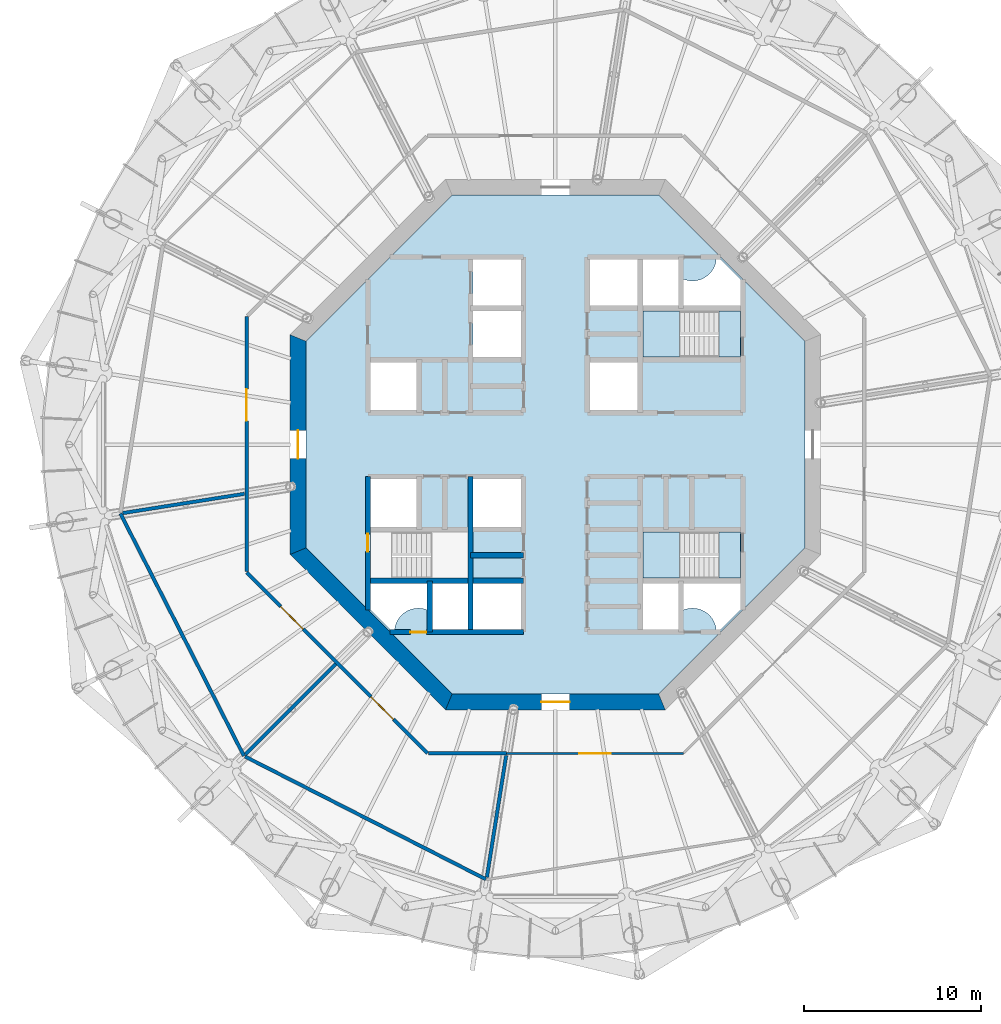
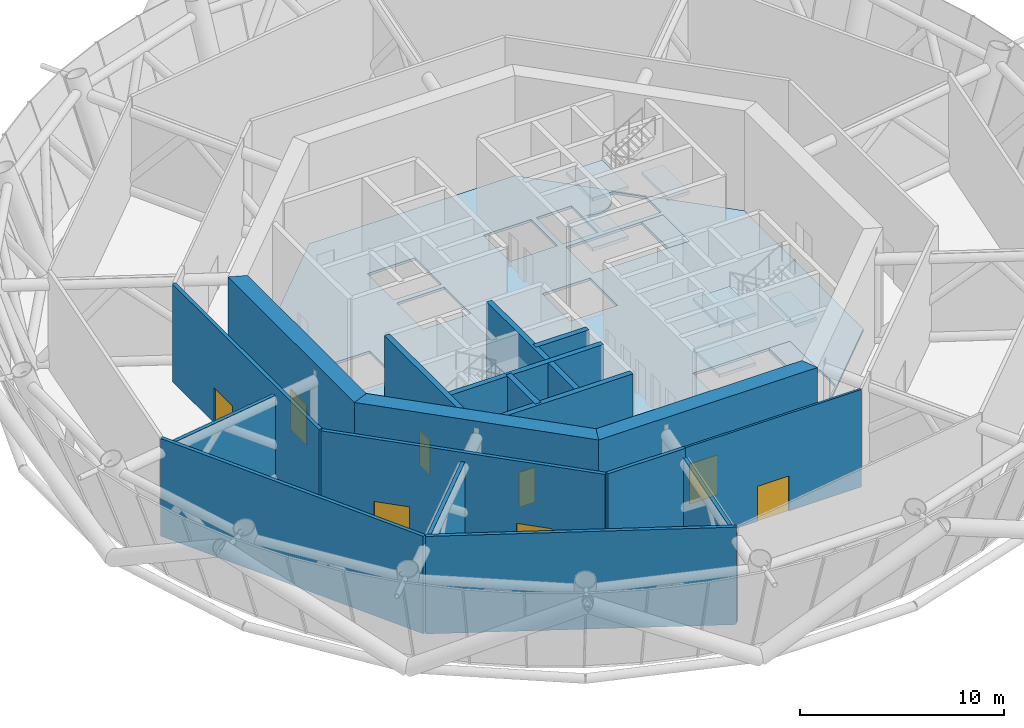
# One storey, part 7 of 15: 18 walls, 9 slabs, 8 doors, 8 openings, 2 elements without a shape of their own.
"""IFC4 building model written with IfcOpenShell, lengths in metres."""

from ifc_helpers import new_model, si_unit, direction, frame, frame_2d, origin, place, context, subcontext, project, spatial, polyline, rectangle, outline, extrude, material, layer, layer_set, type_object, element, fill, aggregate, save


model = new_model("IFC4")

# Units and contexts
model_context = context("Model", 3, precision=1e-05, world=origin(), true_north=direction((0.0, 1.0)))
body_context = subcontext(model_context, "Body", "Model", "MODEL_VIEW")
ifc_project = project(units=[si_unit("LENGTHUNIT", "METRE"), si_unit("AREAUNIT", "SQUARE_METRE"), si_unit("VOLUMEUNIT", "CUBIC_METRE"), si_unit("PLANEANGLEUNIT", "RADIAN"), si_unit("MASSUNIT", "GRAM", prefix="KILO")], contexts=[model_context])

# Site, building, storey
site_placement = place(None, origin())
site = spatial("IfcSite", under=ifc_project, at=site_placement, CompositionType="ELEMENT")
building_placement = place(site_placement, origin())
building = spatial("IfcBuilding", under=site, at=building_placement, Name="Entoto Ring Tower", CompositionType="ELEMENT")
storey_placement = place(building_placement, frame((0.0, 0.0, 268.0)))
storey = spatial("IfcBuildingStorey", under=building, at=storey_placement, Name="L61", CompositionType="ELEMENT", Elevation=268.0)

# Slab
ifc_material_1 = material(Name="Concrete C40/50", Category="concrete")
ifc_layer_1 = layer(ifc_material_1, 0.14990234375)
ifc_layer_set_1 = layer_set([ifc_layer_1], Name="Concrete C40/50")
slab_type_1 = type_object("IfcSlabType", Name="Core floor slab 150 mm reinforced concrete C40/50", PredefinedType="FLOOR", material=ifc_layer_set_1)
slab_1_placement = place(storey_placement, frame((0.0, 0.0, -0.14990234375)))
element("IfcSlab", 1, at=slab_1_placement, inside=storey, type_object=slab_type_1, Name="Core floor L61", PredefinedType="FLOOR", context=body_context, shape_type="SweptSolid", body=[
    extrude(outline(polyline([(104.10009765625, 74.15966796875), (104.10009765625, 85.84033203125), (95.84033203125, 94.10009765625), (84.15966796875, 94.10009765625), (75.89990234375, 85.84033203125), (75.89990234375, 74.15966796875), (84.15966796875, 65.89990234375), (95.84033203125, 65.89990234375), (104.10009765625, 74.15966796875)]), holes=[polyline([(100.449951171875, 84.949951171875), (100.449951171875, 87.550048828125), (94.949951171875, 87.550048828125), (94.949951171875, 84.949951171875), (100.449951171875, 84.949951171875)]), polyline([(85.050048828125, 72.449951171875), (85.050048828125, 75.050048828125), (79.550048828125, 75.050048828125), (79.550048828125, 72.449951171875), (85.050048828125, 72.449951171875)]), polyline([(100.449951171875, 72.449951171875), (100.449951171875, 75.050048828125), (94.949951171875, 75.050048828125), (94.949951171875, 72.449951171875), (100.449951171875, 72.449951171875)]), polyline([(94.949951171875, 90.449951171875), (94.949951171875, 87.85009765625), (96.949951171875, 87.85009765625), (96.949951171875, 90.449951171875), (94.949951171875, 90.449951171875)]), polyline([(94.949951171875, 72.14990234375), (94.949951171875, 69.550048828125), (96.949951171875, 69.550048828125), (96.949951171875, 72.14990234375), (94.949951171875, 72.14990234375)]), polyline([(83.050048828125, 72.14990234375), (83.050048828125, 69.550048828125), (85.050048828125, 69.550048828125), (85.050048828125, 72.14990234375), (83.050048828125, 72.14990234375)]), polyline([(79.550048828125, 81.949951171875), (82.14990234375, 81.949951171875), (82.14990234375, 84.64990234375), (79.550048828125, 84.64990234375), (79.550048828125, 81.949951171875)]), polyline([(79.550048828125, 75.35009765625), (82.14990234375, 75.35009765625), (82.14990234375, 78.050048828125), (79.550048828125, 78.050048828125), (79.550048828125, 75.35009765625)]), polyline([(91.949951171875, 87.85009765625), (94.64990234375, 87.85009765625), (94.64990234375, 90.449951171875), (91.949951171875, 90.449951171875), (91.949951171875, 87.85009765625)]), polyline([(85.35009765625, 69.550048828125), (88.050048828125, 69.550048828125), (88.050048828125, 72.14990234375), (85.35009765625, 72.14990234375), (85.35009765625, 69.550048828125)]), polyline([(91.949951171875, 81.949951171875), (94.64990234375, 81.949951171875), (94.64990234375, 84.64990234375), (91.949951171875, 84.64990234375), (91.949951171875, 81.949951171875)]), polyline([(85.35009765625, 75.35009765625), (88.050048828125, 75.35009765625), (88.050048828125, 78.050048828125), (85.35009765625, 78.050048828125), (85.35009765625, 75.35009765625)]), polyline([(85.35009765625, 84.949951171875), (88.050048828125, 84.949951171875), (88.050048828125, 87.550048828125), (85.35009765625, 87.550048828125), (85.35009765625, 84.949951171875)]), polyline([(85.35009765625, 87.85009765625), (88.050048828125, 87.85009765625), (88.050048828125, 90.449951171875), (85.35009765625, 90.449951171875), (85.35009765625, 87.85009765625)]), polyline([(97.199951171875, 89.368408203125), (97.199951171875, 87.800048828125), (100.5, 87.800048828125), (100.5, 89.299072265625), (99.299072265625, 90.5), (99.09521484375, 90.5), (99.093505859375, 90.4677734375), (99.07421875, 90.336669921875), (99.0419921875, 90.2080078125), (98.997314453125, 90.08349609375), (98.940673828125, 89.963623046875), (98.87255859375, 89.85009765625), (98.793701171875, 89.74365234375), (98.70458984375, 89.6455078125), (98.6064453125, 89.556396484375), (98.5, 89.4775390625), (98.386474609375, 89.409423828125), (98.2666015625, 89.352783203125), (98.141845703125, 89.30810546875), (98.013427734375, 89.27587890625), (97.88232421875, 89.256591796875), (97.75, 89.25), (97.61767578125, 89.256591796875), (97.486572265625, 89.27587890625), (97.358154296875, 89.30810546875), (97.2333984375, 89.352783203125), (97.199951171875, 89.368408203125)]), polyline([(80.700927734375, 69.5), (80.90478515625, 69.5), (80.906494140625, 69.5322265625), (80.92578125, 69.663330078125), (80.9580078125, 69.7919921875), (81.002685546875, 69.91650390625), (81.059326171875, 70.036376953125), (81.12744140625, 70.14990234375), (81.206298828125, 70.25634765625), (81.29541015625, 70.3544921875), (81.3935546875, 70.443603515625), (81.5, 70.5224609375), (81.613525390625, 70.590576171875), (81.7333984375, 70.647216796875), (81.858154296875, 70.69189453125), (81.986572265625, 70.72412109375), (82.11767578125, 70.743408203125), (82.25, 70.75), (82.38232421875, 70.743408203125), (82.513427734375, 70.72412109375), (82.641845703125, 70.69189453125), (82.7666015625, 70.647216796875), (82.800048828125, 70.631591796875), (82.800048828125, 72.199951171875), (79.5, 72.199951171875), (79.5, 70.700927734375), (80.700927734375, 69.5)]), polyline([(99.09521484375, 69.5), (99.299072265625, 69.5), (100.5, 70.700927734375), (100.5, 72.199951171875), (97.199951171875, 72.199951171875), (97.199951171875, 70.631591796875), (97.2333984375, 70.647216796875), (97.358154296875, 70.69189453125), (97.486572265625, 70.72412109375), (97.61767578125, 70.743408203125), (97.75, 70.75), (97.88232421875, 70.743408203125), (98.013427734375, 70.72412109375), (98.141845703125, 70.69189453125), (98.2666015625, 70.647216796875), (98.386474609375, 70.590576171875), (98.5, 70.5224609375), (98.6064453125, 70.443603515625), (98.70458984375, 70.3544921875), (98.793701171875, 70.25634765625), (98.87255859375, 70.14990234375), (98.940673828125, 70.036376953125), (98.997314453125, 69.91650390625), (99.0419921875, 69.7919921875), (99.07421875, 69.663330078125), (99.093505859375, 69.5322265625), (99.09521484375, 69.5)])]), origin(), (0.0, 0.0, 1.0), 0.14990234375),
])

# Stair, slabs
ifc_material_2 = material(Name="Concrete C40/50", Category="concrete")
stair_type = type_object("IfcStairType", Name="Exit stair 1200 mm dog-leg reinforced concrete", PredefinedType="HALF_TURN_STAIR", material=ifc_material_2)
stair_1_placement = place(storey_placement, origin())
stair_1 = element("IfcStair", 2, at=stair_1_placement, inside=storey, type_object=stair_type, Name="Exit stair 1", PredefinedType="HALF_TURN_STAIR")
ifc_material_3 = material(Name="Concrete C40/50", Category="concrete")
ifc_layer_2 = layer(ifc_material_3, 0.199951171875)
ifc_layer_set_2 = layer_set([ifc_layer_2], Name="Concrete C40/50")
slab_type_2 = type_object("IfcSlabType", Name="Stair landing 200 mm reinforced concrete", PredefinedType="LANDING", material=ifc_layer_set_2)
slab_2_placement = place(storey_placement, frame((0.0, 0.0, -0.199951171875)))
slab_2 = element("IfcSlab", 3, at=slab_2_placement, type_object=slab_type_2, Name="ST1 landing 1", PredefinedType="LANDING", context=body_context, shape_type="SweptSolid", body=[
    extrude(outline(polyline([(100.449951171875, 84.949951171875), (100.449951171875, 87.550048828125), (99.25, 87.550048828125), (99.25, 84.949951171875), (100.449951171875, 84.949951171875)])), origin(), (0.0, 0.0, 1.0), 0.199951171875),
])
slab_3_placement = place(storey_placement, frame((0.0, 0.0, 1.300048828125)))
slab_3 = element("IfcSlab", 4, at=slab_3_placement, type_object=slab_type_2, Name="ST1 landing 2", PredefinedType="LANDING", context=body_context, shape_type="SweptSolid", body=[
    extrude(outline(polyline([(94.949951171875, 84.949951171875), (97.010009765625, 84.949951171875), (97.010009765625, 87.550048828125), (94.949951171875, 87.550048828125), (94.949951171875, 84.949951171875)])), origin(), (0.0, 0.0, 1.0), 0.199951171875),
])
slab_4_placement = place(storey_placement, frame((0.0, 0.0, 2.800048828125)))
slab_4 = element("IfcSlab", 5, at=slab_4_placement, type_object=slab_type_2, Name="ST1 landing 3", PredefinedType="LANDING", context=body_context, shape_type="SweptSolid", body=[
    extrude(outline(polyline([(99.25, 84.949951171875), (100.449951171875, 84.949951171875), (100.449951171875, 87.550048828125), (99.25, 87.550048828125), (99.25, 84.949951171875)])), origin(), (0.0, 0.0, 1.0), 0.199951171875),
])
slab_5_placement = place(storey_placement, frame((0.0, 0.0, 4.300048828125)))
slab_5 = element("IfcSlab", 6, at=slab_5_placement, type_object=slab_type_2, Name="ST1 landing 4", PredefinedType="LANDING", context=body_context, shape_type="SweptSolid", body=[
    extrude(outline(polyline([(94.949951171875, 84.949951171875), (97.010009765625, 84.949951171875), (97.010009765625, 87.550048828125), (94.949951171875, 87.550048828125), (94.949951171875, 84.949951171875)])), origin(), (0.0, 0.0, 1.0), 0.199951171875),
])
aggregate(stair_1, [slab_2, slab_3, slab_4, slab_5])

stair_2_placement = place(storey_placement, origin())
stair_2 = element("IfcStair", 7, at=stair_2_placement, inside=storey, type_object=stair_type, Name="Exit stair 3", PredefinedType="HALF_TURN_STAIR")
slab_6_placement = place(storey_placement, frame((0.0, 0.0, -0.199951171875)))
slab_6 = element("IfcSlab", 8, at=slab_6_placement, type_object=slab_type_2, Name="ST3 landing 1", PredefinedType="LANDING", context=body_context, shape_type="SweptSolid", body=[
    extrude(outline(polyline([(100.449951171875, 72.449951171875), (100.449951171875, 75.050048828125), (99.25, 75.050048828125), (99.25, 72.449951171875), (100.449951171875, 72.449951171875)])), origin(), (0.0, 0.0, 1.0), 0.199951171875),
])
slab_7_placement = place(storey_placement, frame((0.0, 0.0, 1.300048828125)))
slab_7 = element("IfcSlab", 9, at=slab_7_placement, type_object=slab_type_2, Name="ST3 landing 2", PredefinedType="LANDING", context=body_context, shape_type="SweptSolid", body=[
    extrude(outline(polyline([(94.949951171875, 72.449951171875), (97.010009765625, 72.449951171875), (97.010009765625, 75.050048828125), (94.949951171875, 75.050048828125), (94.949951171875, 72.449951171875)])), origin(), (0.0, 0.0, 1.0), 0.199951171875),
])
slab_8_placement = place(storey_placement, frame((0.0, 0.0, 2.800048828125)))
slab_8 = element("IfcSlab", 10, at=slab_8_placement, type_object=slab_type_2, Name="ST3 landing 3", PredefinedType="LANDING", context=body_context, shape_type="SweptSolid", body=[
    extrude(outline(polyline([(99.25, 72.449951171875), (100.449951171875, 72.449951171875), (100.449951171875, 75.050048828125), (99.25, 75.050048828125), (99.25, 72.449951171875)])), origin(), (0.0, 0.0, 1.0), 0.199951171875),
])
slab_9_placement = place(storey_placement, frame((0.0, 0.0, 4.300048828125)))
slab_9 = element("IfcSlab", 11, at=slab_9_placement, type_object=slab_type_2, Name="ST3 landing 4", PredefinedType="LANDING", context=body_context, shape_type="SweptSolid", body=[
    extrude(outline(polyline([(94.949951171875, 72.449951171875), (97.010009765625, 72.449951171875), (97.010009765625, 75.050048828125), (94.949951171875, 75.050048828125), (94.949951171875, 72.449951171875)])), origin(), (0.0, 0.0, 1.0), 0.199951171875),
])
aggregate(stair_2, [slab_6, slab_7, slab_8, slab_9])

# Walls
ifc_material_4 = material(Name="Concrete C40/50", Category="concrete")
ifc_layer_3 = layer(ifc_material_4, 0.300048828125)
ifc_layer_set_3 = layer_set([ifc_layer_3], Name="Concrete C40/50")
wall_type_1 = type_object("IfcWallType", Name="Core enclosure wall 300 mm reinforced concrete", PredefinedType="SOLIDWALL", material=ifc_layer_set_3)
wall_1_placement = place(storey_placement, frame((85.199951171875, 69.39990234375, 0.0), z_axis=(0.0, 0.0, 1.0), x_axis=(0.0, 1.0, 0.0)))
element("IfcWall", 12, at=wall_1_placement, inside=storey, type_object=wall_type_1, Name="wall-L61-013", PredefinedType="SOLIDWALL", context=body_context, shape_type="SweptSolid", body=[
    extrude(rectangle(XDim=8.800048828125, YDim=0.300048828125, at=frame_2d((4.39990234375, 0.0))), origin(), (0.0, 0.0, 1.0), 5.85009765625),
])
wall_2_placement = place(storey_placement, frame((82.89990234375, 69.39990234375, 0.0), z_axis=(0.0, 0.0, 1.0), x_axis=(0.0, 1.0, 0.0)))
element("IfcWall", 13, at=wall_2_placement, inside=storey, type_object=wall_type_1, Name="wall-L61-017", PredefinedType="SOLIDWALL", context=body_context, shape_type="SweptSolid", body=[
    extrude(rectangle(XDim=2.900146484375, YDim=0.300048828125, at=frame_2d((1.4501953125, 0.0))), origin(), (0.0, 0.0, 1.0), 5.85009765625),
])

# Wall, opening, door
wall_3_placement = place(storey_placement, frame((79.39990234375, 70.65966796875, 0.0), z_axis=(0.0, 0.0, 1.0), x_axis=(0.0, 1.0, 0.0)))
wall_3 = element("IfcWall", 14, at=wall_3_placement, inside=storey, type_object=wall_type_1, Name="wall-L61-020", PredefinedType="SOLIDWALL", context=body_context, shape_type="SweptSolid", body=[
    extrude(rectangle(XDim=7.540283203125, YDim=0.300048828125, at=frame_2d((3.77001953125, 0.0))), origin(), (0.0, 0.0, 1.0), 5.85009765625),
])
opening_1_placement = place(wall_3_placement, frame((3.290283203125, 0.0, 0.0)))
opening_1 = element("IfcOpeningElement", 15, at=opening_1_placement, cuts=wall_3, Name="Opening K-26", PredefinedType="OPENING", context=body_context, shape_type="SweptSolid", body=[
    extrude(rectangle(XDim=1.0, YDim=2.10009765625, at=frame_2d((0.5, 1.050048828125))), frame((0.0, 0.16015625, 0.0), z_axis=(0.0, -1.0, 0.0), x_axis=(1.0, 0.0, 0.0)), (0.0, 0.0, 1.0), 0.320068359375),
])
ifc_material_5 = material(Name="Steel door leaf, fire rated", Category="steel")
ifc_layer_4 = layer(ifc_material_5, 0.050048828125)
ifc_layer_set_4 = layer_set([ifc_layer_4], Name="Steel door leaf, fire rated")
door_type_1 = type_object("IfcDoorType", Name="Fire door FD60 1000 x 2100 single leaf", OperationType="NOTDEFINED", PredefinedType="DOOR", material=ifc_layer_set_4)
door_1_placement = place(opening_1_placement, frame((1.0, 0.0, 0.0), z_axis=(0.0, 0.0, 1.0), x_axis=(-1.0, 0.0, 0.0)))
door_1 = element("IfcDoor", 16, at=door_1_placement, inside=storey, type_object=door_type_1, Name="Door K-26", OperationType="SINGLE_SWING_LEFT", OverallHeight=2.10009765625, OverallWidth=1.0, PredefinedType="DOOR", context=body_context, shape_type="SweptSolid", body=[
    extrude(rectangle(XDim=1.0, YDim=2.10009765625, at=frame_2d((0.5, 1.050048828125))), frame((0.0, 0.02490234375, 0.0), z_axis=(0.0, -1.0, 0.0), x_axis=(1.0, 0.0, 0.0)), (0.0, 0.0, 1.0), 0.050048828125),
])
fill(opening_1, door_1)

wall_4_placement = place(storey_placement, frame((80.65966796875, 69.39990234375, 0.0), z_axis=(0.0, 0.0, 1.0), x_axis=(1.0, 0.0, 0.0)))
wall_4 = element("IfcWall", 17, at=wall_4_placement, inside=storey, type_object=wall_type_1, Name="wall-L61-022", PredefinedType="SOLIDWALL", context=body_context, shape_type="SweptSolid", body=[
    extrude(rectangle(XDim=7.540283203125, YDim=0.300048828125, at=frame_2d((3.77001953125, 0.0))), origin(), (0.0, 0.0, 1.0), 5.85009765625),
])
opening_2_placement = place(wall_4_placement, frame((1.140380859375, 0.0, 0.0)))
opening_2 = element("IfcOpeningElement", 18, at=opening_2_placement, cuts=wall_4, Name="Opening K-83", PredefinedType="OPENING", context=body_context, shape_type="SweptSolid", body=[
    extrude(rectangle(XDim=0.89990234375, YDim=2.10009765625, at=frame_2d((0.449951171875, 1.050048828125))), frame((0.0, 0.16015625, 0.0), z_axis=(0.0, -1.0, 0.0), x_axis=(1.0, 0.0, 0.0)), (0.0, 0.0, 1.0), 0.320068359375),
])
ifc_material_6 = material(Name="Steel door leaf, fire rated", Category="steel")
ifc_layer_5 = layer(ifc_material_6, 0.050048828125)
ifc_layer_set_5 = layer_set([ifc_layer_5], Name="Steel door leaf, fire rated")
door_type_2 = type_object("IfcDoorType", Name="Riser door FD60 900 x 2100 single leaf", OperationType="NOTDEFINED", PredefinedType="DOOR", material=ifc_layer_set_5)
door_2_placement = place(opening_2_placement, origin())
door_2 = element("IfcDoor", 19, at=door_2_placement, inside=storey, type_object=door_type_2, Name="Door K-83", OperationType="SINGLE_SWING_RIGHT", OverallHeight=2.10009765625, OverallWidth=0.89990234375, PredefinedType="DOOR", context=body_context, shape_type="SweptSolid", body=[
    extrude(rectangle(XDim=0.89990234375, YDim=2.10009765625, at=frame_2d((0.449951171875, 1.050048828125))), frame((0.0, 0.02490234375, 0.0), z_axis=(0.0, -1.0, 0.0), x_axis=(1.0, 0.0, 0.0)), (0.0, 0.0, 1.0), 0.050048828125),
])
fill(opening_2, door_2)

# Walls
wall_5_placement = place(storey_placement, frame((79.39990234375, 72.300048828125, 0.0), z_axis=(0.0, 0.0, 1.0), x_axis=(1.0, 0.0, 0.0)))
element("IfcWall", 20, at=wall_5_placement, inside=storey, type_object=wall_type_1, Name="wall-L61-025", PredefinedType="SOLIDWALL", context=body_context, shape_type="SweptSolid", body=[
    extrude(rectangle(XDim=8.800048828125, YDim=0.300048828125, at=frame_2d((4.39990234375, 0.0))), origin(), (0.0, 0.0, 1.0), 5.85009765625),
])
wall_6_placement = place(storey_placement, frame((85.199951171875, 73.75, 0.0), z_axis=(0.0, 0.0, 1.0), x_axis=(1.0, 0.0, 0.0)))
element("IfcWall", 21, at=wall_6_placement, inside=storey, type_object=wall_type_1, Name="wall-L61-027", PredefinedType="SOLIDWALL", context=body_context, shape_type="SweptSolid", body=[
    extrude(rectangle(XDim=3.0, YDim=0.300048828125, at=frame_2d((1.5, 0.0))), origin(), (0.0, 0.0, 1.0), 5.85009765625),
])

# Wall, opening, door
ifc_material_7 = material(Name="Concrete C50/60", Category="concrete")
ifc_layer_6 = layer(ifc_material_7, 0.89990234375)
ifc_layer_set_6 = layer_set([ifc_layer_6], Name="Concrete C50/60")
wall_type_2 = type_object("IfcWallType", Name="Core shear wall 900 mm reinforced concrete C50/60", PredefinedType="SHEAR", material=ifc_layer_set_6)
wall_7_placement = place(storey_placement, frame((75.449951171875, 86.02685546875, 0.0), z_axis=(0.0, 0.0, 1.0), x_axis=(0.0, -1.0, 0.0)))
wall_7 = element("IfcWall", 22, at=wall_7_placement, inside=storey, type_object=wall_type_2, Name="wall-L61-core-4", PredefinedType="SHEAR", context=body_context, shape_type="SweptSolid", body=[
    extrude(outline(polyline([(-0.186279296875, -0.449951171875), (12.239990234375, -0.449951171875), (11.867431640625, 0.449951171875), (0.186279296875, 0.449951171875), (-0.186279296875, -0.449951171875)])), origin(), (0.0, 0.0, 1.0), 6.0),
])
opening_3_placement = place(wall_7_placement, frame((5.226806640625, 0.0, 0.0)))
opening_3 = element("IfcOpeningElement", 23, at=opening_3_placement, cuts=wall_7, Name="Opening K-03", PredefinedType="OPENING", context=body_context, shape_type="SweptSolid", body=[
    extrude(rectangle(XDim=1.60009765625, YDim=2.39990234375, at=frame_2d((0.800048828125, 1.199951171875))), frame((0.0, 0.4599609375, 0.0), z_axis=(0.0, -1.0, 0.0), x_axis=(1.0, 0.0, 0.0)), (0.0, 0.0, 1.0), 0.919921875),
])
ifc_material_8 = material(Name="Steel door leaf, fire rated", Category="steel")
ifc_layer_7 = layer(ifc_material_8, 0.050048828125)
ifc_layer_set_7 = layer_set([ifc_layer_7], Name="Steel door leaf, fire rated")
door_type_3 = type_object("IfcDoorType", Name="Entrance door FD60 1600 x 2400 double leaf", OperationType="DOUBLE_DOOR_SINGLE_SWING", PredefinedType="DOOR", material=ifc_layer_set_7)
door_3_placement = place(opening_3_placement, origin())
door_3 = element("IfcDoor", 24, at=door_3_placement, inside=storey, type_object=door_type_3, Name="Entrance door K-03", OperationType="DOUBLE_DOOR_SINGLE_SWING", OverallHeight=2.39990234375, OverallWidth=1.60009765625, PredefinedType="DOOR", context=body_context, shape_type="SweptSolid", body=[
    extrude(rectangle(XDim=1.60009765625, YDim=2.39990234375, at=frame_2d((0.800048828125, 1.199951171875))), frame((0.0, 0.02490234375, 0.0), z_axis=(0.0, -1.0, 0.0), x_axis=(1.0, 0.0, 0.0)), (0.0, 0.0, 1.0), 0.050048828125),
])
fill(opening_3, door_3)

# Wall
wall_8_placement = place(storey_placement, frame((75.449951171875, 73.97314453125, 0.0), z_axis=(0.0, 0.0, 1.0), x_axis=(0.707106781187, -0.707106781187, 0.0)))
element("IfcWall", 25, at=wall_8_placement, inside=storey, type_object=wall_type_2, Name="wall-L61-core-5", PredefinedType="SHEAR", context=body_context, shape_type="SweptSolid", body=[
    extrude(outline(polyline([(-0.186279296875, -0.449951171875), (12.239990234375, -0.449951171875), (11.867431640625, 0.449951171875), (0.186279296875, 0.449951171875), (-0.186279296875, -0.449951171875)])), origin(), (0.0, 0.0, 1.0), 6.0),
])

# Wall, opening, door
wall_9_placement = place(storey_placement, frame((83.97314453125, 65.449951171875, 0.0), z_axis=(0.0, 0.0, 1.0), x_axis=(1.0, 0.0, 0.0)))
wall_9 = element("IfcWall", 26, at=wall_9_placement, inside=storey, type_object=wall_type_2, Name="wall-L61-core-6", PredefinedType="SHEAR", context=body_context, shape_type="SweptSolid", body=[
    extrude(outline(polyline([(-0.186279296875, -0.449951171875), (12.239990234375, -0.449951171875), (11.867431640625, 0.449951171875), (0.186279296875, 0.449951171875), (-0.186279296875, -0.449951171875)])), origin(), (0.0, 0.0, 1.0), 6.0),
])
opening_4_placement = place(wall_9_placement, frame((5.226806640625, 0.0, 0.0)))
opening_4 = element("IfcOpeningElement", 27, at=opening_4_placement, cuts=wall_9, Name="Opening K-04", PredefinedType="OPENING", context=body_context, shape_type="SweptSolid", body=[
    extrude(rectangle(XDim=1.60009765625, YDim=2.39990234375, at=frame_2d((0.800048828125, 1.199951171875))), frame((0.0, 0.4599609375, 0.0), z_axis=(0.0, -1.0, 0.0), x_axis=(1.0, 0.0, 0.0)), (0.0, 0.0, 1.0), 0.919921875),
])
door_4_placement = place(opening_4_placement, origin())
door_4 = element("IfcDoor", 28, at=door_4_placement, inside=storey, type_object=door_type_3, Name="Entrance door K-04", OperationType="DOUBLE_DOOR_SINGLE_SWING", OverallHeight=2.39990234375, OverallWidth=1.60009765625, PredefinedType="DOOR", context=body_context, shape_type="SweptSolid", body=[
    extrude(rectangle(XDim=1.60009765625, YDim=2.39990234375, at=frame_2d((0.800048828125, 1.199951171875))), frame((0.0, 0.02490234375, 0.0), z_axis=(0.0, -1.0, 0.0), x_axis=(1.0, 0.0, 0.0)), (0.0, 0.0, 1.0), 0.050048828125),
])
fill(opening_4, door_4)

ifc_material_9 = material(Name="Fire-resisting plasterboard on steel studs", Category="steel")
ifc_layer_8 = layer(ifc_material_9, 0.125)
ifc_layer_set_8 = layer_set([ifc_layer_8], Name="Fire-resisting plasterboard on steel studs")
wall_type_3 = type_object("IfcWallType", Name="Corridor wall 125 mm one-hour plasterboard on steel studs", PredefinedType="PARTITIONING", material=ifc_layer_set_8)
wall_10_placement = place(storey_placement, frame((87.234130859375, 62.53759765625, 0.0), z_axis=(0.0, 0.0, 1.0), x_axis=(1.0, 0.0, 0.0)))
wall_10 = element("IfcWall", 29, at=wall_10_placement, inside=storey, type_object=wall_type_3, Name="partition-L61-004", PredefinedType="PARTITIONING", context=body_context, shape_type="SweptSolid", body=[
    extrude(rectangle(XDim=9.9990234375, YDim=0.125, at=frame_2d((4.99951171875, 0.0))), origin(), (0.0, 0.0, 1.0), 5.85009765625),
])
opening_5_placement = place(wall_10_placement, frame((4.099365234375, 0.0, 0.0)))
opening_5 = element("IfcOpeningElement", 30, at=opening_5_placement, cuts=wall_10, Name="Opening A27-D08", PredefinedType="OPENING", context=body_context, shape_type="SweptSolid", body=[
    extrude(rectangle(XDim=1.800048828125, YDim=2.10009765625, at=frame_2d((0.89990234375, 1.050048828125))), frame((0.0, 0.072509765625, 0.0), z_axis=(0.0, -1.0, 0.0), x_axis=(1.0, 0.0, 0.0)), (0.0, 0.0, 1.0), 0.14501953125),
])
ifc_material_10 = material(Name="Fire-resisting timber door set", Category="wood")
door_type_4 = type_object("IfcDoorType", Name="Door 1800 x 2100 double leaf FD30S fire door", OperationType="DOUBLE_DOOR_SINGLE_SWING", PredefinedType="DOOR", material=ifc_material_10)
door_5_placement = place(opening_5_placement, frame((1.800048828125, 0.0, 0.0), z_axis=(0.0, 0.0, 1.0), x_axis=(-1.0, 0.0, 0.0)))
door_5 = element("IfcDoor", 31, at=door_5_placement, inside=storey, type_object=door_type_4, Name="Door A27-D08", OperationType="DOUBLE_DOOR_SINGLE_SWING", OverallHeight=2.10009765625, OverallWidth=1.800048828125, PredefinedType="DOOR", context=body_context, shape_type="SweptSolid", body=[
    extrude(rectangle(XDim=1.800048828125, YDim=2.10009765625, at=frame_2d((0.89990234375, 1.050048828125))), frame((0.0, 0.02490234375, 0.0), z_axis=(0.0, -1.0, 0.0), x_axis=(1.0, 0.0, 0.0)), (0.0, 0.0, 1.0), 0.050048828125),
])
fill(opening_5, door_5)

# Walls
ifc_material_11 = material(Name="Concrete C20/25", Category="concrete")
ifc_layer_9 = layer(ifc_material_11, 0.199951171875)
ifc_layer_set_9 = layer_set([ifc_layer_9], Name="Concrete C20/25")
wall_type_4 = type_object("IfcWallType", Name="Plant room wall 200 mm two-hour concrete", PredefinedType="PARTITIONING", material=ifc_layer_set_9)
wall_11_placement = place(storey_placement, frame((72.39306640625, 62.39306640625, 0.0), z_axis=(0.0, 0.0, 1.0), x_axis=(-0.453997076472, 0.891003173145, 0.0)))
element("IfcWall", 32, at=wall_11_placement, inside=storey, type_object=wall_type_4, Name="partition-L61-007", PredefinedType="PARTITIONING", context=body_context, shape_type="SweptSolid", body=[
    extrude(rectangle(XDim=15.388916015625, YDim=0.199951171875, at=frame_2d((7.6943359375, 0.0))), origin(), (0.0, 0.0, 1.0), 5.85009765625),
])
wall_12_placement = place(storey_placement, frame((86.072265625, 55.423095703125, 0.0), z_axis=(0.0, 0.0, 1.0), x_axis=(-0.891004409352, 0.453994650315, 0.0)))
element("IfcWall", 33, at=wall_12_placement, inside=storey, type_object=wall_type_4, Name="partition-L61-008", PredefinedType="PARTITIONING", context=body_context, shape_type="SweptSolid", body=[
    extrude(rectangle(XDim=15.2939453125, YDim=0.199951171875, at=frame_2d((7.64697265625, 0.0))), origin(), (0.0, 0.0, 1.0), 5.85009765625),
])

# Wall, openings, doors
wall_13_placement = place(storey_placement, frame((82.766845703125, 62.53759765625, 0.0), z_axis=(0.0, 0.0, 1.0), x_axis=(-0.707106781187, 0.707106781187, 0.0)))
wall_13 = element("IfcWall", 34, at=wall_13_placement, inside=storey, type_object=wall_type_4, Name="partition-L61-014", PredefinedType="PARTITIONING", context=body_context, shape_type="SweptSolid", body=[
    extrude(rectangle(XDim=14.46630859375, YDim=0.199951171875, at=frame_2d((7.233154296875, 0.0))), origin(), (0.0, 0.0, 1.0), 5.85009765625),
])
opening_6_placement = place(wall_13_placement, frame((9.94970703125, 0.0, 0.0)))
opening_6 = element("IfcOpeningElement", 35, at=opening_6_placement, cuts=wall_13, Name="Opening A27-D06", PredefinedType="OPENING", context=body_context, shape_type="SweptSolid", body=[
    extrude(rectangle(XDim=1.800048828125, YDim=2.10009765625, at=frame_2d((0.89990234375, 1.050048828125))), frame((0.0, 0.10986328125, 0.0), z_axis=(0.0, -1.0, 0.0), x_axis=(1.0, 0.0, 0.0)), (0.0, 0.0, 1.0), 0.219970703125),
])
opening_7_placement = place(wall_13_placement, frame((2.716796875, 0.0, 0.0)))
opening_7 = element("IfcOpeningElement", 36, at=opening_7_placement, cuts=wall_13, Name="Opening A27-D07", PredefinedType="OPENING", context=body_context, shape_type="SweptSolid", body=[
    extrude(rectangle(XDim=1.800048828125, YDim=2.10009765625, at=frame_2d((0.89990234375, 1.050048828125))), frame((0.0, 0.10986328125, 0.0), z_axis=(0.0, -1.0, 0.0), x_axis=(1.0, 0.0, 0.0)), (0.0, 0.0, 1.0), 0.219970703125),
])
ifc_material_12 = material(Name="Fire-resisting steel door set", Category="steel")
door_type_5 = type_object("IfcDoorType", Name="Door 1800 x 2100 double leaf FD60 steel door", OperationType="DOUBLE_DOOR_SINGLE_SWING", PredefinedType="DOOR", material=ifc_material_12)
door_6_placement = place(opening_6_placement, origin())
door_6 = element("IfcDoor", 37, at=door_6_placement, inside=storey, type_object=door_type_5, Name="Door A27-D06", OperationType="DOUBLE_DOOR_SINGLE_SWING", OverallHeight=2.10009765625, OverallWidth=1.800048828125, PredefinedType="DOOR", context=body_context, shape_type="SweptSolid", body=[
    extrude(rectangle(XDim=1.800048828125, YDim=2.10009765625, at=frame_2d((0.89990234375, 1.050048828125))), frame((0.0, 0.02490234375, 0.0), z_axis=(0.0, -1.0, 0.0), x_axis=(1.0, 0.0, 0.0)), (0.0, 0.0, 1.0), 0.050048828125),
])
fill(opening_6, door_6)
door_7_placement = place(opening_7_placement, origin())
door_7 = element("IfcDoor", 38, at=door_7_placement, inside=storey, type_object=door_type_5, Name="Door A27-D07", OperationType="DOUBLE_DOOR_SINGLE_SWING", OverallHeight=2.10009765625, OverallWidth=1.800048828125, PredefinedType="DOOR", context=body_context, shape_type="SweptSolid", body=[
    extrude(rectangle(XDim=1.800048828125, YDim=2.10009765625, at=frame_2d((0.89990234375, 1.050048828125))), frame((0.0, 0.02490234375, 0.0), z_axis=(0.0, -1.0, 0.0), x_axis=(1.0, 0.0, 0.0)), (0.0, 0.0, 1.0), 0.050048828125),
])
fill(opening_7, door_7)

# Wall, opening, door
wall_14_placement = place(storey_placement, frame((72.53759765625, 72.83740234375, 0.0), z_axis=(0.0, 0.0, 1.0), x_axis=(0.0, 1.0, 0.0)))
wall_14 = element("IfcWall", 39, at=wall_14_placement, inside=storey, type_object=wall_type_4, Name="partition-L61-016", PredefinedType="PARTITIONING", context=body_context, shape_type="SweptSolid", body=[
    extrude(rectangle(XDim=14.395751953125, YDim=0.199951171875, at=frame_2d((7.19775390625, 0.0))), origin(), (0.0, 0.0, 1.0), 5.85009765625),
])
opening_8_placement = place(wall_14_placement, frame((8.496337890625, 0.0, 0.0)))
opening_8 = element("IfcOpeningElement", 40, at=opening_8_placement, cuts=wall_14, Name="Opening A27-D05", PredefinedType="OPENING", context=body_context, shape_type="SweptSolid", body=[
    extrude(rectangle(XDim=1.800048828125, YDim=2.10009765625, at=frame_2d((0.89990234375, 1.050048828125))), frame((0.0, 0.10986328125, 0.0), z_axis=(0.0, -1.0, 0.0), x_axis=(1.0, 0.0, 0.0)), (0.0, 0.0, 1.0), 0.219970703125),
])
door_8_placement = place(opening_8_placement, origin())
door_8 = element("IfcDoor", 41, at=door_8_placement, inside=storey, type_object=door_type_5, Name="Door A27-D05", OperationType="DOUBLE_DOOR_SINGLE_SWING", OverallHeight=2.10009765625, OverallWidth=1.800048828125, PredefinedType="DOOR", context=body_context, shape_type="SweptSolid", body=[
    extrude(rectangle(XDim=1.800048828125, YDim=2.10009765625, at=frame_2d((0.89990234375, 1.050048828125))), frame((0.0, 0.02490234375, 0.0), z_axis=(0.0, -1.0, 0.0), x_axis=(1.0, 0.0, 0.0)), (0.0, 0.0, 1.0), 0.050048828125),
])
fill(opening_8, door_8)

# Walls
wall_15_placement = place(storey_placement, frame((82.83740234375, 62.53759765625, 0.0), z_axis=(0.0, 0.0, 1.0), x_axis=(1.0, 0.0, 0.0)))
element("IfcWall", 42, at=wall_15_placement, inside=storey, type_object=wall_type_4, Name="partition-L61-030", PredefinedType="PARTITIONING", context=body_context, shape_type="SweptSolid", body=[
    extrude(rectangle(XDim=4.396728515625, YDim=0.199951171875, at=frame_2d((2.1982421875, 0.0))), origin(), (0.0, 0.0, 1.0), 5.85009765625),
])
ifc_material_13 = material(Name="Concrete C20/25", Category="concrete")
ifc_layer_10 = layer(ifc_material_13, 0.199951171875)
ifc_layer_set_10 = layer_set([ifc_layer_10], Name="Concrete C20/25")
wall_type_5 = type_object("IfcWallType", Name="Plant room wall 200 mm two-hour concrete, 5300 mm high", PredefinedType="PARTITIONING", material=ifc_layer_set_10)
wall_16_placement = place(storey_placement, frame((72.490234375, 62.490234375, 0.0), z_axis=(0.0, 0.0, 1.0), x_axis=(0.707106781187, 0.707106781187, 0.0)))
element("IfcWall", 43, at=wall_16_placement, inside=storey, type_object=wall_type_5, Name="partition-L61-020", PredefinedType="PARTITIONING", context=body_context, shape_type="SweptSolid", body=[
    extrude(rectangle(XDim=7.199951171875, YDim=0.199951171875, at=frame_2d((3.60009765625, 0.0))), origin(), (0.0, 0.0, 1.0), 5.300048828125),
])
for number, where, z_axis, x_axis, name in (
    (44, (65.54248046875, 76.126220703125, 0.0), (0.0, 0.0, 1.0), (0.987688106412, 0.156435943606, 0.0), "partition-L61-022"),
    (45, (86.126220703125, 55.54248046875, 0.0), (0.0, 0.0, 1.0), (0.156435943606, 0.987688106412, 0.0), "partition-L61-023"),
):
    element("IfcWall", number, at=place(storey_placement, frame(where, z_axis=z_axis, x_axis=x_axis)), inside=storey, type_object=wall_type_5, Name=name, PredefinedType="PARTITIONING", context=body_context, shape_type="SweptSolid", body=[
        extrude(rectangle(XDim=6.965087890625, YDim=0.199951171875, at=frame_2d((3.482421875, 0.0))), origin(), (0.0, 0.0, 1.0), 5.300048828125),
    ])

save(model, "model.ifc")
